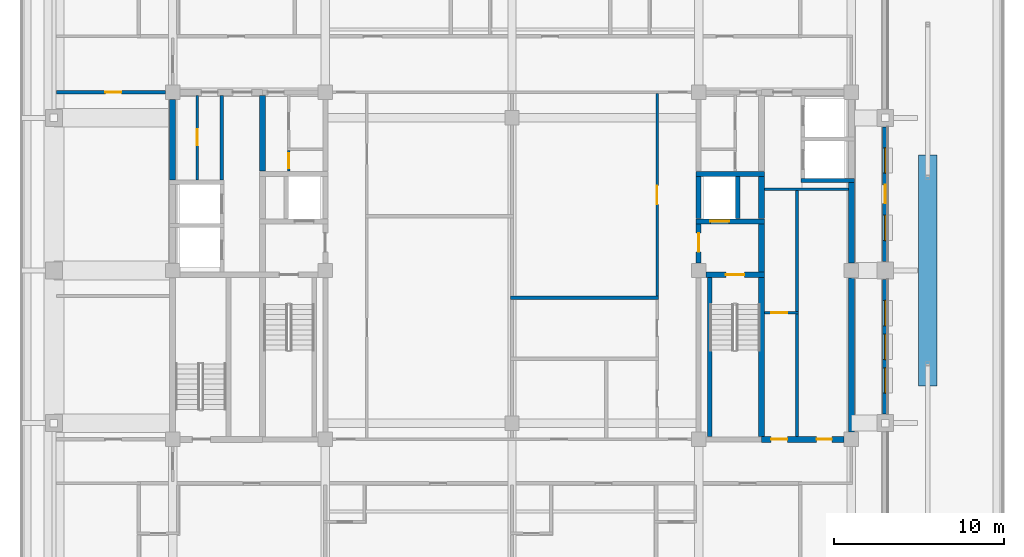
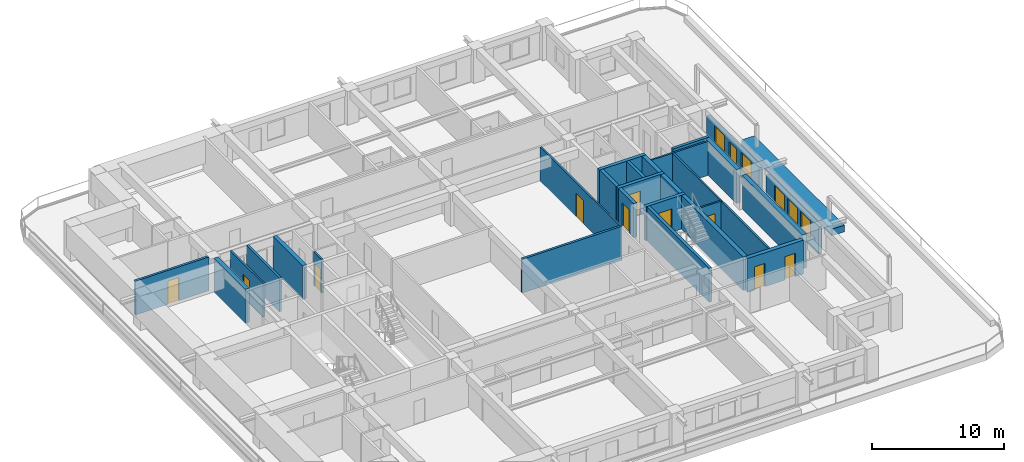
# One storey, part 8 of 18: 29 walls, 11 doors, 5 windows, 16 openings.
"""IFC4 building model written with IfcOpenShell, lengths in metres."""

from ifc_helpers import new_model, si_unit, direction, frame, frame_2d, origin, place, context, subcontext, project, spatial, rectangle, extrude, material, layer, layer_set, type_object, element, fill, save


model = new_model("IFC4")

# Units and contexts
model_context = context("Model", 3, precision=1e-05, world=origin(), true_north=direction((0.0, 1.0)))
body_context = subcontext(model_context, "Body", "Model", "MODEL_VIEW")
ifc_project = project(units=[si_unit("LENGTHUNIT", "METRE"), si_unit("AREAUNIT", "SQUARE_METRE"), si_unit("VOLUMEUNIT", "CUBIC_METRE"), si_unit("PLANEANGLEUNIT", "RADIAN"), si_unit("MASSUNIT", "GRAM", prefix="KILO")], contexts=[model_context])

# Site, building, storey
site_placement = place(None, origin())
site = spatial("IfcSite", under=ifc_project, at=site_placement, CompositionType="ELEMENT")
building_placement = place(site_placement, origin())
building = spatial("IfcBuilding", under=site, at=building_placement, Name="Zulmaris Gate Convention Tower", CompositionType="ELEMENT")
storey_placement = place(building_placement, frame((0.0, 0.0, 191.4599609375)))
storey = spatial("IfcBuildingStorey", under=building, at=storey_placement, Name="L49", CompositionType="ELEMENT", Elevation=191.4599609375)

# Walls
ifc_material_1 = material(Name="Concrete C50/60", Category="concrete")
ifc_layer_1 = layer(ifc_material_1, 0.25, Name="Concrete C50/60")
ifc_layer_set_1 = layer_set([ifc_layer_1], Name="Concrete C50/60")
wall_type_1 = type_object("IfcWallType", Name="CORE-250", PredefinedType="SOLIDWALL", material=ifc_layer_set_1)
wall_1_placement = place(storey_placement, frame((17.02490234375, 5.300048828125, 0.0), z_axis=(0.0, 0.0, 1.0), x_axis=(1.0, 0.0, 0.0)))
element("IfcWall", 1, at=wall_1_placement, inside=storey, type_object=wall_type_1, Name="WL-L49-011", PredefinedType="SOLIDWALL", context=body_context, shape_type="SweptSolid", body=[
    extrude(rectangle(XDim=3.150146484375, YDim=0.25, at=frame_2d((1.5751953125, 0.0))), origin(), (0.0, 0.0, 1.0), 3.125),
])
wall_2_placement = place(storey_placement, frame((11.64990234375, -9.798095703125, 0.0), z_axis=(0.0, 0.0, 1.0), x_axis=(0.0, 1.0, 0.0)))
element("IfcWall", 2, at=wall_2_placement, inside=storey, type_object=wall_type_1, Name="WL-L49-065", PredefinedType="SOLIDWALL", context=body_context, shape_type="SweptSolid", body=[
    extrude(rectangle(XDim=9.39599609375, YDim=0.25, at=frame_2d((4.697998046875, 0.0))), origin(), (0.0, 0.0, 1.0), 3.125),
])
wall_3_placement = place(storey_placement, frame((13.300048828125, 3.052001953125, 0.0), z_axis=(0.0, 0.0, 1.0), x_axis=(0.0, 1.0, 0.0)))
element("IfcWall", 3, at=wall_3_placement, inside=storey, type_object=wall_type_1, Name="WL-L49-066", PredefinedType="SOLIDWALL", context=body_context, shape_type="SweptSolid", body=[
    extrude(rectangle(XDim=2.49609375, YDim=0.25, at=frame_2d((1.248046875, 0.0))), origin(), (0.0, 0.0, 1.0), 3.125),
])

# Wall, opening, door
ifc_layer_2 = layer(ifc_material_1, 0.300048828125, Name="Concrete C50/60")
ifc_layer_set_2 = layer_set([ifc_layer_2], Name="Concrete C50/60")
wall_type_2 = type_object("IfcWallType", Name="CORE-300", PredefinedType="SHEAR", material=ifc_layer_set_2)
wall_4_placement = place(storey_placement, frame((11.428955078125, -0.25, 0.0), z_axis=(0.0, 0.0, 1.0), x_axis=(1.0, 0.0, 0.0)))
wall_4 = element("IfcWall", 4, at=wall_4_placement, inside=storey, type_object=wall_type_2, Name="WL-L49-006", PredefinedType="SHEAR", context=body_context, shape_type="SweptSolid", body=[
    extrude(rectangle(XDim=3.446044921875, YDim=0.300048828125, at=frame_2d((1.72314453125, 0.0))), origin(), (0.0, 0.0, 1.0), 3.125),
])
opening_1_placement = place(wall_4_placement, frame((1.1708984375, 0.0, 0.0)))
opening_1 = element("IfcOpeningElement", 5, at=opening_1_placement, cuts=wall_4, Name="Opening D-08", PredefinedType="OPENING", context=body_context, shape_type="SweptSolid", body=[
    extrude(rectangle(XDim=1.10009765625, YDim=2.14990234375, at=frame_2d((0.550048828125, 1.074951171875))), frame((0.0, 0.16015625, 0.0), z_axis=(0.0, -1.0, 0.0), x_axis=(1.0, 0.0, 0.0)), (0.0, 0.0, 1.0), 0.320068359375),
])
ifc_material_2 = material(Name="Fire-Rated Steel", Category="steel")
door_type_1 = type_object("IfcDoorType", Name="DR-1100-FD", OperationType="NOTDEFINED", PredefinedType="DOOR", material=ifc_material_2)
door_1_placement = place(opening_1_placement, origin())
door_1 = element("IfcDoor", 6, at=door_1_placement, inside=storey, type_object=door_type_1, Name="L49 Exit Stair ST-2 Door 04", OperationType="SINGLE_SWING_LEFT", OverallHeight=2.14990234375, OverallWidth=1.10009765625, PredefinedType="DOOR", context=body_context, shape_type="SweptSolid", body=[
    extrude(rectangle(XDim=1.10009765625, YDim=2.14990234375, at=frame_2d((0.550048828125, 1.074951171875))), frame((0.0, 0.02490234375, 0.0), z_axis=(0.0, -1.0, 0.0), x_axis=(1.0, 0.0, 0.0)), (0.0, 0.0, 1.0), 0.050048828125),
])
fill(opening_1, door_1)

wall_5_placement = place(storey_placement, frame((10.85009765625, 2.89990234375, 0.0), z_axis=(0.0, 0.0, 1.0), x_axis=(1.0, 0.0, 0.0)))
wall_5 = element("IfcWall", 7, at=wall_5_placement, inside=storey, type_object=wall_type_2, Name="WL-L49-009", PredefinedType="SHEAR", context=body_context, shape_type="SweptSolid", body=[
    extrude(rectangle(XDim=4.02490234375, YDim=0.300048828125, at=frame_2d((2.012451171875, 0.0))), origin(), (0.0, 0.0, 1.0), 3.125),
])
opening_2_placement = place(wall_5_placement, frame((0.85009765625, 0.0, 0.0)))
opening_2 = element("IfcOpeningElement", 8, at=opening_2_placement, cuts=wall_5, Name="Opening D-06", PredefinedType="OPENING", context=body_context, shape_type="SweptSolid", body=[
    extrude(rectangle(XDim=1.10009765625, YDim=2.199951171875, at=frame_2d((0.550048828125, 1.10009765625))), frame((0.0, 0.16015625, 0.0), z_axis=(0.0, -1.0, 0.0), x_axis=(1.0, 0.0, 0.0)), (0.0, 0.0, 1.0), 0.320068359375),
])
ifc_material_3 = material(Name="Brushed Stainless Steel", Category="steel")
door_type_2 = type_object("IfcDoorType", Name="LD-1100", OperationType="NOTDEFINED", PredefinedType="DOOR", material=ifc_material_3)
door_2_placement = place(opening_2_placement, origin())
door_2 = element("IfcDoor", 9, at=door_2_placement, inside=storey, type_object=door_type_2, Name="L49 Lift Landing Door LF-02 06", OperationType="SLIDING_TO_RIGHT", OverallHeight=2.199951171875, OverallWidth=1.10009765625, PredefinedType="DOOR", context=body_context, shape_type="SweptSolid", body=[
    extrude(rectangle(XDim=1.10009765625, YDim=2.199951171875, at=frame_2d((0.550048828125, 1.10009765625))), frame((0.0, 0.02490234375, 0.0), z_axis=(0.0, -1.0, 0.0), x_axis=(1.0, 0.0, 0.0)), (0.0, 0.0, 1.0), 0.050048828125),
])
fill(opening_2, door_2)

# Wall
wall_6_placement = place(storey_placement, frame((10.85009765625, 5.699951171875, 0.0), z_axis=(0.0, 0.0, 1.0), x_axis=(1.0, 0.0, 0.0)))
element("IfcWall", 10, at=wall_6_placement, inside=storey, type_object=wall_type_2, Name="WL-L49-013", PredefinedType="SHEAR", context=body_context, shape_type="SweptSolid", body=[
    extrude(rectangle(XDim=4.02490234375, YDim=0.300048828125, at=frame_2d((2.012451171875, 0.0))), origin(), (0.0, 0.0, 1.0), 3.125),
])

# Wall, opening, door
wall_7_placement = place(storey_placement, frame((11.0, 0.428955078125, 0.0), z_axis=(0.0, 0.0, 1.0), x_axis=(0.0, 1.0, 0.0)))
wall_7 = element("IfcWall", 11, at=wall_7_placement, inside=storey, type_object=wall_type_2, Name="WL-L49-062", PredefinedType="SHEAR", context=body_context, shape_type="SweptSolid", body=[
    extrude(rectangle(XDim=2.319091796875, YDim=0.300048828125, at=frame_2d((1.15966796875, 0.0))), origin(), (0.0, 0.0, 1.0), 3.125),
])
opening_3_placement = place(wall_7_placement, frame((0.6708984375, 0.0, 0.0)))
opening_3 = element("IfcOpeningElement", 12, at=opening_3_placement, cuts=wall_7, Name="Opening D-08", PredefinedType="OPENING", context=body_context, shape_type="SweptSolid", body=[
    extrude(rectangle(XDim=1.10009765625, YDim=2.14990234375, at=frame_2d((0.550048828125, 1.074951171875))), frame((0.0, 0.16015625, 0.0), z_axis=(0.0, -1.0, 0.0), x_axis=(1.0, 0.0, 0.0)), (0.0, 0.0, 1.0), 0.320068359375),
])
door_3_placement = place(opening_3_placement, origin())
door_3 = element("IfcDoor", 13, at=door_3_placement, inside=storey, type_object=door_type_1, Name="L49 East Firefighting Lobby Door 05", OperationType="SINGLE_SWING_RIGHT", OverallHeight=2.14990234375, OverallWidth=1.10009765625, PredefinedType="DOOR", context=body_context, shape_type="SweptSolid", body=[
    extrude(rectangle(XDim=1.10009765625, YDim=2.14990234375, at=frame_2d((0.550048828125, 1.074951171875))), frame((0.0, 0.02490234375, 0.0), z_axis=(0.0, -1.0, 0.0), x_axis=(1.0, 0.0, 0.0)), (0.0, 0.0, 1.0), 0.050048828125),
])
fill(opening_3, door_3)

# Wall
wall_8_placement = place(storey_placement, frame((11.0, 3.052001953125, 0.0), z_axis=(0.0, 0.0, 1.0), x_axis=(0.0, 1.0, 0.0)))
element("IfcWall", 14, at=wall_8_placement, inside=storey, type_object=wall_type_2, Name="WL-L49-063", PredefinedType="SHEAR", context=body_context, shape_type="SweptSolid", body=[
    extrude(rectangle(XDim=2.49609375, YDim=0.300048828125, at=frame_2d((1.248046875, 0.0))), origin(), (0.0, 0.0, 1.0), 3.125),
])

# Wall, openings, doors
ifc_material_4 = material(Name="Concrete C55/67", Category="concrete")
ifc_layer_3 = layer(ifc_material_4, 0.35009765625, Name="Concrete C55/67")
ifc_layer_set_3 = layer_set([ifc_layer_3], Name="Concrete C55/67")
wall_type_3 = type_object("IfcWallType", Name="CORE-350", PredefinedType="SHEAR", material=ifc_layer_set_3)
wall_9_placement = place(storey_placement, frame((14.699951171875, -9.949951171875, 0.0), z_axis=(0.0, 0.0, 1.0), x_axis=(1.0, 0.0, 0.0)))
wall_9 = element("IfcWall", 15, at=wall_9_placement, inside=storey, type_object=wall_type_3, Name="WL-L49-004", PredefinedType="SHEAR", context=body_context, shape_type="SweptSolid", body=[
    extrude(rectangle(XDim=4.87109375, YDim=0.35009765625, at=frame_2d((2.435546875, 0.0))), origin(), (0.0, 0.0, 1.0), 3.125),
])
opening_4_placement = place(wall_9_placement, frame((3.25, 0.0, 0.0)))
opening_4 = element("IfcOpeningElement", 16, at=opening_4_placement, cuts=wall_9, Name="Opening D-12", PredefinedType="OPENING", context=body_context, shape_type="SweptSolid", body=[
    extrude(rectangle(XDim=0.89990234375, YDim=2.14990234375, at=frame_2d((0.449951171875, 1.074951171875))), frame((0.0, 0.18505859375, 0.0), z_axis=(0.0, -1.0, 0.0), x_axis=(1.0, 0.0, 0.0)), (0.0, 0.0, 1.0), 0.3701171875),
])
opening_5_placement = place(wall_9_placement, frame((0.574951171875, 0.0, 0.0)))
opening_5 = element("IfcOpeningElement", 17, at=opening_5_placement, cuts=wall_9, Name="Opening D-11", PredefinedType="OPENING", context=body_context, shape_type="SweptSolid", body=[
    extrude(rectangle(XDim=0.949951171875, YDim=2.14990234375, at=frame_2d((0.47509765625, 1.074951171875))), frame((0.0, 0.18505859375, 0.0), z_axis=(0.0, -1.0, 0.0), x_axis=(1.0, 0.0, 0.0)), (0.0, 0.0, 1.0), 0.3701171875),
])
ifc_material_5 = material(Name="Fire-Rated Timber", Category="wood")
door_type_3 = type_object("IfcDoorType", Name="DR-900-FD", OperationType="NOTDEFINED", PredefinedType="DOOR", material=ifc_material_5)
door_4_placement = place(opening_4_placement, origin())
door_4 = element("IfcDoor", 18, at=door_4_placement, inside=storey, type_object=door_type_3, Name="L49 Core IT Room Door 22", OperationType="SINGLE_SWING_RIGHT", OverallHeight=2.14990234375, OverallWidth=0.89990234375, PredefinedType="DOOR", context=body_context, shape_type="SweptSolid", body=[
    extrude(rectangle(XDim=0.89990234375, YDim=2.14990234375, at=frame_2d((0.449951171875, 1.074951171875))), frame((0.0, 0.02490234375, 0.0), z_axis=(0.0, -1.0, 0.0), x_axis=(1.0, 0.0, 0.0)), (0.0, 0.0, 1.0), 0.050048828125),
])
fill(opening_4, door_4)
door_type_4 = type_object("IfcDoorType", Name="DR-950-FD", OperationType="NOTDEFINED", PredefinedType="DOOR", material=ifc_material_5)
door_5_placement = place(opening_5_placement, origin())
door_5 = element("IfcDoor", 19, at=door_5_placement, inside=storey, type_object=door_type_4, Name="L49 Guest Pantry Door 23", OperationType="SINGLE_SWING_LEFT", OverallHeight=2.14990234375, OverallWidth=0.949951171875, PredefinedType="DOOR", context=body_context, shape_type="SweptSolid", body=[
    extrude(rectangle(XDim=0.949951171875, YDim=2.14990234375, at=frame_2d((0.47509765625, 1.074951171875))), frame((0.0, 0.02490234375, 0.0), z_axis=(0.0, -1.0, 0.0), x_axis=(1.0, 0.0, 0.0)), (0.0, 0.0, 1.0), 0.050048828125),
])
fill(opening_5, door_5)

# Walls
wall_10_placement = place(storey_placement, frame((-20.0, 5.326904296875, 0.0), z_axis=(0.0, 0.0, 1.0), x_axis=(0.0, 1.0, 0.0)))
element("IfcWall", 20, at=wall_10_placement, inside=storey, type_object=wall_type_3, Name="WL-L49-047", PredefinedType="SHEAR", context=body_context, shape_type="SweptSolid", body=[
    extrude(rectangle(XDim=4.744140625, YDim=0.35009765625, at=frame_2d((2.3720703125, 0.0))), origin(), (0.0, 0.0, 1.0), 3.125),
])
wall_11_placement = place(storey_placement, frame((-14.699951171875, 5.85205078125, 0.0), z_axis=(0.0, 0.0, 1.0), x_axis=(0.0, 1.0, 0.0)))
element("IfcWall", 21, at=wall_11_placement, inside=storey, type_object=wall_type_3, Name="WL-L49-054", PredefinedType="SHEAR", context=body_context, shape_type="SweptSolid", body=[
    extrude(rectangle(XDim=4.470947265625, YDim=0.35009765625, at=frame_2d((2.2353515625, 0.0))), origin(), (0.0, 0.0, 1.0), 3.125),
])
wall_12_placement = place(storey_placement, frame((14.699951171875, -9.77294921875, 0.0), z_axis=(0.0, 0.0, 1.0), x_axis=(0.0, 1.0, 0.0)))
element("IfcWall", 22, at=wall_12_placement, inside=storey, type_object=wall_type_3, Name="WL-L49-067", PredefinedType="SHEAR", context=body_context, shape_type="SweptSolid", body=[
    extrude(rectangle(XDim=9.370849609375, YDim=0.35009765625, at=frame_2d((4.685546875, 0.0))), origin(), (0.0, 0.0, 1.0), 3.125),
])
wall_13_placement = place(storey_placement, frame((14.699951171875, -0.097900390625, 0.0), z_axis=(0.0, 0.0, 1.0), x_axis=(0.0, 1.0, 0.0)))
element("IfcWall", 23, at=wall_13_placement, inside=storey, type_object=wall_type_3, Name="WL-L49-068", PredefinedType="SHEAR", context=body_context, shape_type="SweptSolid", body=[
    extrude(rectangle(XDim=2.845947265625, YDim=0.35009765625, at=frame_2d((1.4228515625, 0.0))), origin(), (0.0, 0.0, 1.0), 3.125),
])
wall_14_placement = place(storey_placement, frame((14.699951171875, 3.052001953125, 0.0), z_axis=(0.0, 0.0, 1.0), x_axis=(0.0, 1.0, 0.0)))
element("IfcWall", 24, at=wall_14_placement, inside=storey, type_object=wall_type_3, Name="WL-L49-069", PredefinedType="SHEAR", context=body_context, shape_type="SweptSolid", body=[
    extrude(rectangle(XDim=2.49609375, YDim=0.35009765625, at=frame_2d((1.248046875, 0.0))), origin(), (0.0, 0.0, 1.0), 3.125),
])
wall_15_placement = place(storey_placement, frame((20.0, -9.52099609375, 0.0), z_axis=(0.0, 0.0, 1.0), x_axis=(0.0, 1.0, 0.0)))
element("IfcWall", 25, at=wall_15_placement, inside=storey, type_object=wall_type_3, Name="WL-L49-073", PredefinedType="SHEAR", context=body_context, shape_type="SweptSolid", body=[
    extrude(rectangle(XDim=9.092041015625, YDim=0.35009765625, at=frame_2d((4.5458984375, 0.0))), origin(), (0.0, 0.0, 1.0), 3.125),
])
wall_16_placement = place(storey_placement, frame((20.0, 0.428955078125, 0.0), z_axis=(0.0, 0.0, 1.0), x_axis=(0.0, 1.0, 0.0)))
element("IfcWall", 26, at=wall_16_placement, inside=storey, type_object=wall_type_3, Name="WL-L49-073S1", PredefinedType="SHEAR", context=body_context, shape_type="SweptSolid", body=[
    extrude(rectangle(XDim=4.744140625, YDim=0.35009765625, at=frame_2d((2.3720703125, 0.0))), origin(), (0.0, 0.0, 1.0), 3.125),
])

# Wall, opening, door
ifc_material_6 = material(Name="Gypsum Metal Stud Partition")
ifc_layer_4 = layer(ifc_material_6, 0.14990234375, Name="Gypsum Metal Stud Partition")
ifc_layer_set_4 = layer_set([ifc_layer_4], Name="Gypsum Metal Stud Partition")
wall_type_4 = type_object("IfcWallType", Name="PART-150", PredefinedType="PARTITIONING", material=ifc_layer_set_4)
wall_17_placement = place(storey_placement, frame((14.8779296875, -2.5, 0.0), z_axis=(0.0, 0.0, 1.0), x_axis=(1.0, 0.0, 0.0)))
wall_17 = element("IfcWall", 27, at=wall_17_placement, inside=storey, type_object=wall_type_4, Name="WL-L49-029", PredefinedType="PARTITIONING", context=body_context, shape_type="SweptSolid", body=[
    extrude(rectangle(XDim=1.9970703125, YDim=0.14990234375, at=frame_2d((0.99853515625, 0.0))), origin(), (0.0, 0.0, 1.0), 3.125),
])
opening_6_placement = place(wall_17_placement, frame((0.39697265625, 0.0, 0.0)))
opening_6 = element("IfcOpeningElement", 28, at=opening_6_placement, cuts=wall_17, Name="Opening D-11", PredefinedType="OPENING", context=body_context, shape_type="SweptSolid", body=[
    extrude(rectangle(XDim=0.949951171875, YDim=2.14990234375, at=frame_2d((0.47509765625, 1.074951171875))), frame((0.0, 0.0849609375, 0.0), z_axis=(0.0, -1.0, 0.0), x_axis=(1.0, 0.0, 0.0)), (0.0, 0.0, 1.0), 0.169921875),
])
door_6_placement = place(opening_6_placement, origin())
door_6 = element("IfcDoor", 29, at=door_6_placement, inside=storey, type_object=door_type_4, Name="L49 Supply Closet Door 24", OperationType="SINGLE_SWING_RIGHT", OverallHeight=2.14990234375, OverallWidth=0.949951171875, PredefinedType="DOOR", context=body_context, shape_type="SweptSolid", body=[
    extrude(rectangle(XDim=0.949951171875, YDim=2.14990234375, at=frame_2d((0.47509765625, 1.074951171875))), frame((0.0, 0.02490234375, 0.0), z_axis=(0.0, -1.0, 0.0), x_axis=(1.0, 0.0, 0.0)), (0.0, 0.0, 1.0), 0.050048828125),
])
fill(opening_6, door_6)

# Wall
wall_18_placement = place(storey_placement, frame((14.8779296875, 4.800048828125, 0.0), z_axis=(0.0, 0.0, 1.0), x_axis=(1.0, 0.0, 0.0)))
element("IfcWall", 30, at=wall_18_placement, inside=storey, type_object=wall_type_4, Name="WL-L49-033", PredefinedType="PARTITIONING", context=body_context, shape_type="SweptSolid", body=[
    extrude(rectangle(XDim=4.944091796875, YDim=0.14990234375, at=frame_2d((2.47216796875, 0.0))), origin(), (0.0, 0.0, 1.0), 3.125),
])

# Wall, opening, door
wall_19_placement = place(storey_placement, frame((-18.550048828125, 5.327880859375, 0.0), z_axis=(0.0, 0.0, 1.0), x_axis=(0.0, 1.0, 0.0)))
wall_19 = element("IfcWall", 31, at=wall_19_placement, inside=storey, type_object=wall_type_4, Name="WL-L49-084", PredefinedType="PARTITIONING", context=body_context, shape_type="SweptSolid", body=[
    extrude(rectangle(XDim=4.994140625, YDim=0.14990234375, at=frame_2d((2.4970703125, 0.0))), origin(), (0.0, 0.0, 1.0), 3.125),
])
opening_7_placement = place(wall_19_placement, frame((2.047119140625, 0.0, 0.0)))
opening_7 = element("IfcOpeningElement", 32, at=opening_7_placement, cuts=wall_19, Name="Opening D-11", PredefinedType="OPENING", context=body_context, shape_type="SweptSolid", body=[
    extrude(rectangle(XDim=0.949951171875, YDim=2.14990234375, at=frame_2d((0.47509765625, 1.074951171875))), frame((0.0, 0.0849609375, 0.0), z_axis=(0.0, -1.0, 0.0), x_axis=(1.0, 0.0, 0.0)), (0.0, 0.0, 1.0), 0.169921875),
])
door_7_placement = place(opening_7_placement, origin())
door_7 = element("IfcDoor", 33, at=door_7_placement, inside=storey, type_object=door_type_4, Name="L49 Housekeeping Door 18", OperationType="SINGLE_SWING_RIGHT", OverallHeight=2.14990234375, OverallWidth=0.949951171875, PredefinedType="DOOR", context=body_context, shape_type="SweptSolid", body=[
    extrude(rectangle(XDim=0.949951171875, YDim=2.14990234375, at=frame_2d((0.47509765625, 1.074951171875))), frame((0.0, 0.02490234375, 0.0), z_axis=(0.0, -1.0, 0.0), x_axis=(1.0, 0.0, 0.0)), (0.0, 0.0, 1.0), 0.050048828125),
])
fill(opening_7, door_7)

wall_20_placement = place(storey_placement, frame((-13.14990234375, 5.85302734375, 0.0), z_axis=(0.0, 0.0, 1.0), x_axis=(0.0, 1.0, 0.0)))
wall_20 = element("IfcWall", 34, at=wall_20_placement, inside=storey, type_object=wall_type_4, Name="WL-L49-086", PredefinedType="PARTITIONING", context=body_context, shape_type="SweptSolid", body=[
    extrude(rectangle(XDim=1.218994140625, YDim=0.14990234375, at=frame_2d((0.609375, 0.0))), origin(), (0.0, 0.0, 1.0), 3.125),
])
opening_8_placement = place(wall_20_placement, frame((0.1689453125, 0.0, 0.0)))
opening_8 = element("IfcOpeningElement", 35, at=opening_8_placement, cuts=wall_20, Name="Opening D-12", PredefinedType="OPENING", context=body_context, shape_type="SweptSolid", body=[
    extrude(rectangle(XDim=0.89990234375, YDim=2.14990234375, at=frame_2d((0.449951171875, 1.074951171875))), frame((0.0, 0.0849609375, 0.0), z_axis=(0.0, -1.0, 0.0), x_axis=(1.0, 0.0, 0.0)), (0.0, 0.0, 1.0), 0.169921875),
])
door_8_placement = place(opening_8_placement, origin())
door_8 = element("IfcDoor", 36, at=door_8_placement, inside=storey, type_object=door_type_3, Name="L49 Stationery Closet Door 08", OperationType="SINGLE_SWING_RIGHT", OverallHeight=2.14990234375, OverallWidth=0.89990234375, PredefinedType="DOOR", context=body_context, shape_type="SweptSolid", body=[
    extrude(rectangle(XDim=0.89990234375, YDim=2.14990234375, at=frame_2d((0.449951171875, 1.074951171875))), frame((0.0, 0.02490234375, 0.0), z_axis=(0.0, -1.0, 0.0), x_axis=(1.0, 0.0, 0.0)), (0.0, 0.0, 1.0), 0.050048828125),
])
fill(opening_8, door_8)

wall_21_placement = place(storey_placement, frame((8.550048828125, -1.4970703125, 0.0), z_axis=(0.0, 0.0, 1.0), x_axis=(0.0, 1.0, 0.0)))
wall_21 = element("IfcWall", 37, at=wall_21_placement, inside=storey, type_object=wall_type_4, Name="WL-L49-112", PredefinedType="PARTITIONING", context=body_context, shape_type="SweptSolid", body=[
    extrude(rectangle(XDim=11.919189453125, YDim=0.14990234375, at=frame_2d((5.95947265625, 0.0))), origin(), (0.0, 0.0, 1.0), 3.125),
])
opening_9_placement = place(wall_21_placement, frame((5.39697265625, 0.0, 0.0)))
opening_9 = element("IfcOpeningElement", 38, at=opening_9_placement, cuts=wall_21, Name="Opening D-08", PredefinedType="OPENING", context=body_context, shape_type="SweptSolid", body=[
    extrude(rectangle(XDim=1.10009765625, YDim=2.14990234375, at=frame_2d((0.550048828125, 1.074951171875))), frame((0.0, 0.0849609375, 0.0), z_axis=(0.0, -1.0, 0.0), x_axis=(1.0, 0.0, 0.0)), (0.0, 0.0, 1.0), 0.169921875),
])
door_9_placement = place(opening_9_placement, origin())
door_9 = element("IfcDoor", 39, at=door_9_placement, inside=storey, type_object=door_type_1, Name="L49 Breakout Room Door 46", OperationType="SINGLE_SWING_RIGHT", OverallHeight=2.14990234375, OverallWidth=1.10009765625, PredefinedType="DOOR", context=body_context, shape_type="SweptSolid", body=[
    extrude(rectangle(XDim=1.10009765625, YDim=2.14990234375, at=frame_2d((0.550048828125, 1.074951171875))), frame((0.0, 0.02490234375, 0.0), z_axis=(0.0, -1.0, 0.0), x_axis=(1.0, 0.0, 0.0)), (0.0, 0.0, 1.0), 0.050048828125),
])
fill(opening_9, door_9)

# Walls
wall_22_placement = place(storey_placement, frame((16.800048828125, -9.77197265625, 0.0), z_axis=(0.0, 0.0, 1.0), x_axis=(0.0, 1.0, 0.0)))
element("IfcWall", 40, at=wall_22_placement, inside=storey, type_object=wall_type_4, Name="WL-L49-116", PredefinedType="PARTITIONING", context=body_context, shape_type="SweptSolid", body=[
    extrude(rectangle(XDim=7.194091796875, YDim=0.14990234375, at=frame_2d((3.59716796875, 0.0))), origin(), (0.0, 0.0, 1.0), 3.125),
])
wall_23_placement = place(storey_placement, frame((16.800048828125, -2.422119140625, 0.0), z_axis=(0.0, 0.0, 1.0), x_axis=(0.0, 1.0, 0.0)))
element("IfcWall", 41, at=wall_23_placement, inside=storey, type_object=wall_type_4, Name="WL-L49-117", PredefinedType="PARTITIONING", context=body_context, shape_type="SweptSolid", body=[
    extrude(rectangle(XDim=7.14404296875, YDim=0.14990234375, at=frame_2d((3.572021484375, 0.0))), origin(), (0.0, 0.0, 1.0), 3.125),
])
ifc_material_7 = material(Name="Autoclaved Aerated Concrete Block and Plasterboard", Category="concrete")
ifc_layer_5 = layer(ifc_material_7, 0.199951171875, Name="Autoclaved Aerated Concrete Block and Plasterboard")
ifc_layer_set_5 = layer_set([ifc_layer_5], Name="Autoclaved Aerated Concrete Block and Plasterboard")
wall_type_5 = type_object("IfcWallType", Name="PART-200", PredefinedType="PARTITIONING", material=ifc_layer_set_5)
wall_24_placement = place(storey_placement, frame((-0.10009765625, -1.60009765625, 0.0), z_axis=(0.0, 0.0, 1.0), x_axis=(1.0, 0.0, 0.0)))
element("IfcWall", 42, at=wall_24_placement, inside=storey, type_object=wall_type_5, Name="WL-L49-030", PredefinedType="PARTITIONING", context=body_context, shape_type="SweptSolid", body=[
    extrude(rectangle(XDim=8.72509765625, YDim=0.199951171875, at=frame_2d((4.362548828125, 0.0))), origin(), (0.0, 0.0, 1.0), 3.125),
])

# Wall, opening, door
wall_25_placement = place(storey_placement, frame((-26.8349609375, 10.5, 0.0), z_axis=(0.0, 0.0, 1.0), x_axis=(1.0, 0.0, 0.0)))
wall_25 = element("IfcWall", 43, at=wall_25_placement, inside=storey, type_object=wall_type_5, Name="WL-L49-036", PredefinedType="PARTITIONING", context=body_context, shape_type="SweptSolid", body=[
    extrude(rectangle(XDim=6.404052734375, YDim=0.199951171875, at=frame_2d((3.2021484375, 0.0))), origin(), (0.0, 0.0, 1.0), 3.125),
])
opening_10_placement = place(wall_25_placement, frame((2.860107421875, 0.0, 0.0)))
opening_10 = element("IfcOpeningElement", 44, at=opening_10_placement, cuts=wall_25, Name="Opening D-11", PredefinedType="OPENING", context=body_context, shape_type="SweptSolid", body=[
    extrude(rectangle(XDim=0.949951171875, YDim=2.14990234375, at=frame_2d((0.47509765625, 1.074951171875))), frame((0.0, 0.10986328125, 0.0), z_axis=(0.0, -1.0, 0.0), x_axis=(1.0, 0.0, 0.0)), (0.0, 0.0, 1.0), 0.219970703125),
])
door_10_placement = place(opening_10_placement, origin())
door_10 = element("IfcDoor", 45, at=door_10_placement, inside=storey, type_object=door_type_4, Name="L49 Sunset Lounge Door 52", OperationType="SINGLE_SWING_RIGHT", OverallHeight=2.14990234375, OverallWidth=0.949951171875, PredefinedType="DOOR", context=body_context, shape_type="SweptSolid", body=[
    extrude(rectangle(XDim=0.949951171875, YDim=2.14990234375, at=frame_2d((0.47509765625, 1.074951171875))), frame((0.0, 0.02490234375, 0.0), z_axis=(0.0, -1.0, 0.0), x_axis=(1.0, 0.0, 0.0)), (0.0, 0.0, 1.0), 0.050048828125),
])
fill(opening_10, door_10)

# Walls
wall_26_placement = place(storey_placement, frame((-17.10009765625, 5.327880859375, 0.0), z_axis=(0.0, 0.0, 1.0), x_axis=(0.0, 1.0, 0.0)))
element("IfcWall", 46, at=wall_26_placement, inside=storey, type_object=wall_type_5, Name="WL-L49-085", PredefinedType="PARTITIONING", context=body_context, shape_type="SweptSolid", body=[
    extrude(rectangle(XDim=4.994140625, YDim=0.199951171875, at=frame_2d((2.4970703125, 0.0))), origin(), (0.0, 0.0, 1.0), 3.125),
])
ifc_material_8 = material(Name="Botanical Green Glazed Precast Concrete C40/50", Category="concrete")
ifc_layer_6 = layer(ifc_material_8, 0.419921875, Name="Botanical Green Glazed Precast Concrete C40/50")
ifc_layer_set_6 = layer_set([ifc_layer_6], Name="Botanical Green Glazed Precast Concrete C40/50")
wall_type_6 = type_object("IfcWallType", Name="PLANTER-CURB-200", PredefinedType="PARAPET", material=ifc_layer_set_6)
wall_27_placement = place(storey_placement, frame((24.5, -6.800048828125, -0.0400390625), z_axis=(0.0, 0.0, 1.0), x_axis=(0.0, 1.0, 0.0)))
element("IfcWall", 47, at=wall_27_placement, inside=storey, type_object=wall_type_6, Name="L49 Block-End Terrace Tree Planter Bed", PredefinedType="PARAPET", context=body_context, shape_type="SweptSolid", body=[
    extrude(rectangle(XDim=13.60009765625, YDim=1.10009765625, at=frame_2d((6.800048828125, 0.0))), origin(), (0.0, 0.0, 1.0), 0.60009765625),
])

# Wall, openings, windows
ifc_material_9 = material(Name="Precast concrete C40/50", Category="concrete")
ifc_layer_7 = layer(ifc_material_9, 0.300048828125, Name="Precast concrete C40/50")
ifc_layer_set_7 = layer_set([ifc_layer_7], Name="Precast concrete C40/50")
wall_type_7 = type_object("IfcWallType", Name="PRECAST-PIER-300", PredefinedType="STANDARD", material=ifc_layer_set_7)
wall_28_placement = place(storey_placement, frame((22.0, -8.469970703125, 0.0), z_axis=(0.0, 0.0, 1.0), x_axis=(0.0, 1.0, 0.0)))
wall_28 = element("IfcWall", 48, at=wall_28_placement, inside=storey, type_object=wall_type_7, Name="EW-L49-E-1_0", PredefinedType="STANDARD", context=body_context, shape_type="SweptSolid", body=[
    extrude(rectangle(XDim=7.93994140625, YDim=0.300048828125, at=frame_2d((3.969970703125, 0.0))), origin(), (0.0, 0.0, 1.0), 2.516845703125),
])
opening_11_placement = place(wall_28_placement, frame((1.235107421875, 0.0, 0.719970703125)))
opening_11 = element("IfcOpeningElement", 49, at=opening_11_placement, cuts=wall_28, Name="Opening W-03", PredefinedType="OPENING", context=body_context, shape_type="SweptSolid", body=[
    extrude(rectangle(XDim=1.5, YDim=1.60009765625, at=frame_2d((0.75, 0.800048828125))), frame((0.0, 0.16015625, 0.0), z_axis=(0.0, -1.0, 0.0), x_axis=(1.0, 0.0, 0.0)), (0.0, 0.0, 1.0), 0.320068359375),
])
opening_12_placement = place(wall_28_placement, frame((3.219970703125, 0.0, 0.719970703125)))
opening_12 = element("IfcOpeningElement", 50, at=opening_12_placement, cuts=wall_28, Name="Opening W-03", PredefinedType="OPENING", context=body_context, shape_type="SweptSolid", body=[
    extrude(rectangle(XDim=1.5, YDim=1.60009765625, at=frame_2d((0.75, 0.800048828125))), frame((0.0, 0.16015625, 0.0), z_axis=(0.0, -1.0, 0.0), x_axis=(1.0, 0.0, 0.0)), (0.0, 0.0, 1.0), 0.320068359375),
])
opening_13_placement = place(wall_28_placement, frame((5.205078125, 0.0, 0.719970703125)))
opening_13 = element("IfcOpeningElement", 51, at=opening_13_placement, cuts=wall_28, Name="Opening W-03", PredefinedType="OPENING", context=body_context, shape_type="SweptSolid", body=[
    extrude(rectangle(XDim=1.5, YDim=1.60009765625, at=frame_2d((0.75, 0.800048828125))), frame((0.0, 0.16015625, 0.0), z_axis=(0.0, -1.0, 0.0), x_axis=(1.0, 0.0, 0.0)), (0.0, 0.0, 1.0), 0.320068359375),
])
ifc_material_10 = material(Name="Low-E Laminated Double Glazing in Aluminium Frame", Category="aluminium")
window_type = type_object("IfcWindowType", Name="WIN-1500x2100", PartitioningType="SINGLE_PANEL", PredefinedType="WINDOW", material=ifc_material_10)
window_1_placement = place(opening_11_placement, origin())
window_1 = element("IfcWindow", 52, at=window_1_placement, inside=storey, type_object=window_type, Name="WN-EW-L49-E-1_0-1", OverallHeight=1.60009765625, OverallWidth=1.5, PartitioningType="SINGLE_PANEL", PredefinedType="WINDOW", context=body_context, shape_type="SweptSolid", body=[
    extrude(rectangle(XDim=1.5, YDim=1.60009765625, at=frame_2d((0.75, 0.800048828125))), frame((0.0, 0.030029296875, 0.0), z_axis=(0.0, -1.0, 0.0), x_axis=(1.0, 0.0, 0.0)), (0.0, 0.0, 1.0), 0.06005859375),
])
fill(opening_11, window_1)
window_2_placement = place(opening_12_placement, origin())
window_2 = element("IfcWindow", 53, at=window_2_placement, inside=storey, type_object=window_type, Name="WN-EW-L49-E-1_0-2", OverallHeight=1.60009765625, OverallWidth=1.5, PartitioningType="SINGLE_PANEL", PredefinedType="WINDOW", context=body_context, shape_type="SweptSolid", body=[
    extrude(rectangle(XDim=1.5, YDim=1.60009765625, at=frame_2d((0.75, 0.800048828125))), frame((0.0, 0.030029296875, 0.0), z_axis=(0.0, -1.0, 0.0), x_axis=(1.0, 0.0, 0.0)), (0.0, 0.0, 1.0), 0.06005859375),
])
fill(opening_12, window_2)
window_3_placement = place(opening_13_placement, origin())
window_3 = element("IfcWindow", 54, at=window_3_placement, inside=storey, type_object=window_type, Name="WN-EW-L49-E-1_0-3", OverallHeight=1.60009765625, OverallWidth=1.5, PartitioningType="SINGLE_PANEL", PredefinedType="WINDOW", context=body_context, shape_type="SweptSolid", body=[
    extrude(rectangle(XDim=1.5, YDim=1.60009765625, at=frame_2d((0.75, 0.800048828125))), frame((0.0, 0.030029296875, 0.0), z_axis=(0.0, -1.0, 0.0), x_axis=(1.0, 0.0, 0.0)), (0.0, 0.0, 1.0), 0.06005859375),
])
fill(opening_13, window_3)

# Wall, openings, door, windows
wall_29_placement = place(storey_placement, frame((22.0, 0.530029296875, 0.0), z_axis=(0.0, 0.0, 1.0), x_axis=(0.0, 1.0, 0.0)))
wall_29 = element("IfcWall", 55, at=wall_29_placement, inside=storey, type_object=wall_type_7, Name="EW-L49-E-2_0", PredefinedType="STANDARD", context=body_context, shape_type="SweptSolid", body=[
    extrude(rectangle(XDim=7.93994140625, YDim=0.300048828125, at=frame_2d((3.969970703125, 0.0))), origin(), (0.0, 0.0, 1.0), 2.516845703125),
])
opening_14_placement = place(wall_29_placement, frame((3.419921875, 0.0, 0.0)))
opening_14 = element("IfcOpeningElement", 56, at=opening_14_placement, cuts=wall_29, Name="Opening D-04", PredefinedType="OPENING", context=body_context, shape_type="SweptSolid", body=[
    extrude(rectangle(XDim=1.10009765625, YDim=2.14990234375, at=frame_2d((0.550048828125, 1.074951171875))), frame((0.0, 0.16015625, 0.0), z_axis=(0.0, -1.0, 0.0), x_axis=(1.0, 0.0, 0.0)), (0.0, 0.0, 1.0), 0.320068359375),
])
opening_15_placement = place(wall_29_placement, frame((1.235107421875, 0.0, 0.719970703125)))
opening_15 = element("IfcOpeningElement", 57, at=opening_15_placement, cuts=wall_29, Name="Opening W-03", PredefinedType="OPENING", context=body_context, shape_type="SweptSolid", body=[
    extrude(rectangle(XDim=1.5, YDim=1.60009765625, at=frame_2d((0.75, 0.800048828125))), frame((0.0, 0.16015625, 0.0), z_axis=(0.0, -1.0, 0.0), x_axis=(1.0, 0.0, 0.0)), (0.0, 0.0, 1.0), 0.320068359375),
])
opening_16_placement = place(wall_29_placement, frame((5.205078125, 0.0, 0.719970703125)))
opening_16 = element("IfcOpeningElement", 58, at=opening_16_placement, cuts=wall_29, Name="Opening W-03", PredefinedType="OPENING", context=body_context, shape_type="SweptSolid", body=[
    extrude(rectangle(XDim=1.5, YDim=1.60009765625, at=frame_2d((0.75, 0.800048828125))), frame((0.0, 0.16015625, 0.0), z_axis=(0.0, -1.0, 0.0), x_axis=(1.0, 0.0, 0.0)), (0.0, 0.0, 1.0), 0.320068359375),
])
ifc_material_11 = material(Name="Anodised Aluminium and Laminated Glass", Category="aluminium")
door_type_5 = type_object("IfcDoorType", Name="ED-1100", OperationType="SINGLE_SWING_RIGHT", PredefinedType="DOOR", material=ifc_material_11)
door_11_placement = place(opening_14_placement, origin())
door_11 = element("IfcDoor", 59, at=door_11_placement, inside=storey, type_object=door_type_5, Name="L49 Block-End Planted Roof Terrace Door", OperationType="SINGLE_SWING_LEFT", OverallHeight=2.14990234375, OverallWidth=1.10009765625, PredefinedType="DOOR", context=body_context, shape_type="SweptSolid", body=[
    extrude(rectangle(XDim=1.10009765625, YDim=2.14990234375, at=frame_2d((0.550048828125, 1.074951171875))), frame((0.0, 0.02490234375, 0.0), z_axis=(0.0, -1.0, 0.0), x_axis=(1.0, 0.0, 0.0)), (0.0, 0.0, 1.0), 0.050048828125),
])
fill(opening_14, door_11)
window_4_placement = place(opening_15_placement, origin())
window_4 = element("IfcWindow", 60, at=window_4_placement, inside=storey, type_object=window_type, Name="WN-EW-L49-E-2_0-1", OverallHeight=1.60009765625, OverallWidth=1.5, PartitioningType="SINGLE_PANEL", PredefinedType="WINDOW", context=body_context, shape_type="SweptSolid", body=[
    extrude(rectangle(XDim=1.5, YDim=1.60009765625, at=frame_2d((0.75, 0.800048828125))), frame((0.0, 0.030029296875, 0.0), z_axis=(0.0, -1.0, 0.0), x_axis=(1.0, 0.0, 0.0)), (0.0, 0.0, 1.0), 0.06005859375),
])
fill(opening_15, window_4)
window_5_placement = place(opening_16_placement, origin())
window_5 = element("IfcWindow", 61, at=window_5_placement, inside=storey, type_object=window_type, Name="WN-EW-L49-E-2_0-3", OverallHeight=1.60009765625, OverallWidth=1.5, PartitioningType="SINGLE_PANEL", PredefinedType="WINDOW", context=body_context, shape_type="SweptSolid", body=[
    extrude(rectangle(XDim=1.5, YDim=1.60009765625, at=frame_2d((0.75, 0.800048828125))), frame((0.0, 0.030029296875, 0.0), z_axis=(0.0, -1.0, 0.0), x_axis=(1.0, 0.0, 0.0)), (0.0, 0.0, 1.0), 0.06005859375),
])
fill(opening_16, window_5)

save(model, "model.ifc")
